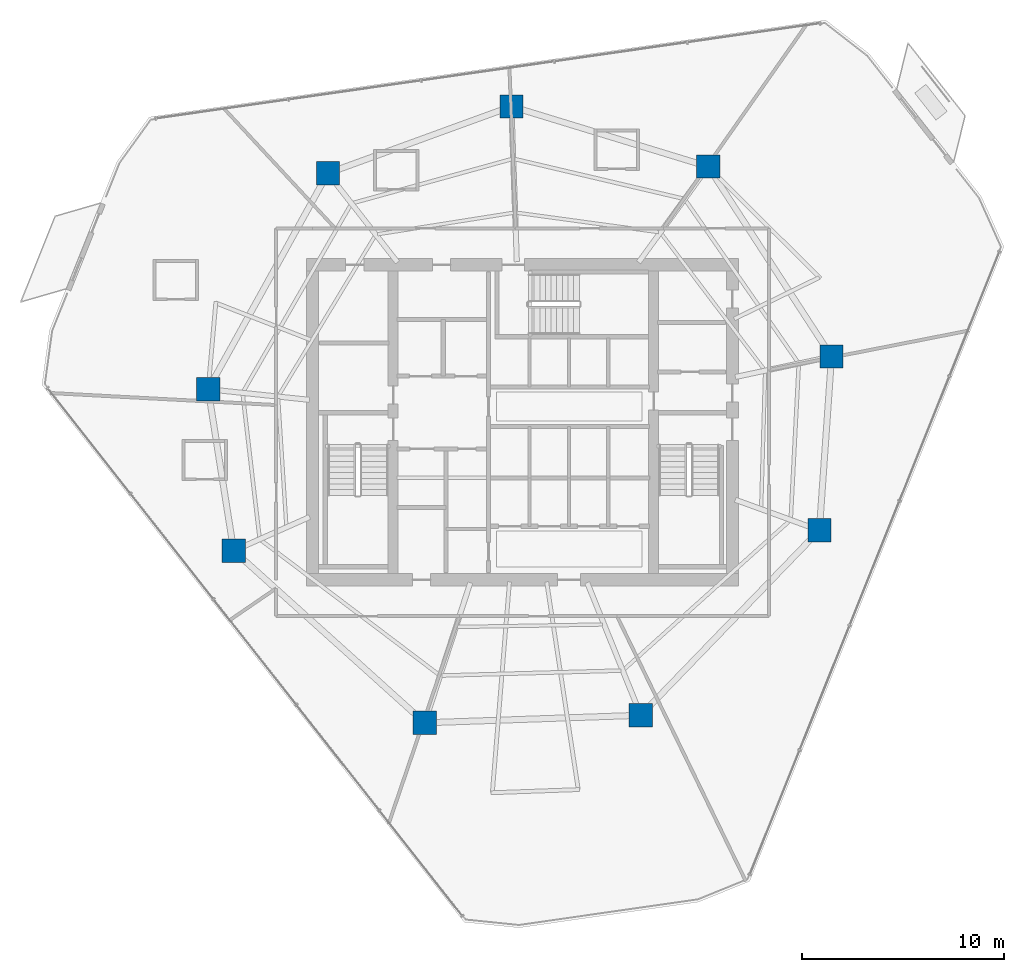
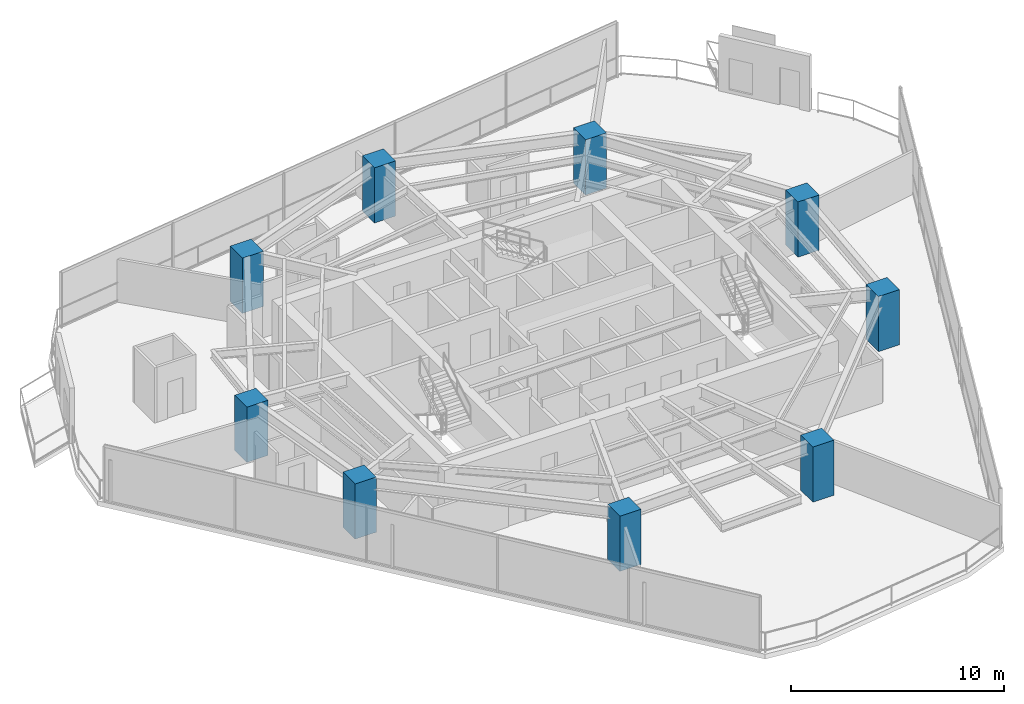
# One storey, part 1 of 29: 9 columns.
"""IFC4 building model written with IfcOpenShell, lengths in metres."""

from ifc_helpers import new_model, si_unit, direction, frame, origin, origin_2d, place, context, subcontext, project, spatial, rectangle, extrude, material, material_profile, profile_set, type_object, element, save


model = new_model("IFC4")

# Units and contexts
model_context = context("Model", 3, precision=1e-05, world=origin(), true_north=direction((0.0, 1.0)))
body_context = subcontext(model_context, "Body", "Model", "MODEL_VIEW")
ifc_project = project(units=[si_unit("LENGTHUNIT", "METRE"), si_unit("AREAUNIT", "SQUARE_METRE"), si_unit("VOLUMEUNIT", "CUBIC_METRE"), si_unit("PLANEANGLEUNIT", "RADIAN"), si_unit("MASSUNIT", "GRAM", prefix="KILO")], contexts=[model_context])

# Site, building, storey
site_placement = place(None, origin())
site = spatial("IfcSite", under=ifc_project, at=site_placement, CompositionType="ELEMENT")
building_placement = place(site_placement, origin())
building = spatial("IfcBuilding", under=site, at=building_placement, Name="Qarnah Convention Tower", CompositionType="ELEMENT")
storey_placement = place(building_placement, frame((0.0, 0.0, 97.050048828125)))
storey = spatial("IfcBuildingStorey", under=building, at=storey_placement, Name="L25", CompositionType="ELEMENT", Elevation=97.050048828125)

# Columns
ifc_material = material(Name="Concrete C60/75", Category="concrete")
ifc_material_profile = material_profile(ifc_material, rectangle(XDim=1.14990234375, YDim=1.14990234375, at=origin_2d()), Name="RC-COL-1150X1150")
ifc_profile_set = profile_set([ifc_material_profile], Name="Concrete C60/75")
column_type = type_object("IfcColumnType", Name="COL-Z2-1150", PredefinedType="COLUMN", material=ifc_profile_set)
for number, where, z_axis, x_axis, name in (
    (1, (52.508056640625, 29.654052734375, 0.0), (0.0, 0.0, 1.0), (1.0, 0.0, 0.0), "L25 plumb column PC-Z2-01"),
    (2, (46.39892578125, 39.06103515625, 0.0), (0.0, 0.0, 1.0), (1.0, 0.0, 0.0), "L25 plumb column PC-Z2-02"),
    (3, (36.654052734375, 42.0400390625, 0.0), (0.0, 0.0, 1.0), (1.0, 0.0, 0.0), "L25 plumb column PC-Z2-03"),
    (4, (27.56494140625, 38.73193359375, 0.0), (0.0, 0.0, 1.0), (1.0, 0.0, 0.0), "L25 plumb column PC-Z2-04"),
    (5, (21.635986328125, 28.035888671875, 0.0), (0.0, 0.0, 1.0), (1.0, 0.0, 0.0), "L25 plumb column PC-Z2-05"),
    (6, (22.903076171875, 20.034912109375, 0.0), (0.0, 0.0, 1.0), (1.0, 0.0, 0.0), "L25 plumb column PC-Z2-06"),
    (7, (32.364013671875, 11.51611328125, 0.0), (0.0, 0.0, 1.0), (1.0, 0.0, 0.0), "L25 plumb column PC-Z2-07"),
    (8, (43.06298828125, 11.889892578125, 0.0), (0.0, 0.0, 1.0), (1.0, 0.0, 0.0), "L25 plumb column PC-Z2-08"),
    (9, (51.906005859375, 21.047119140625, 0.0), (0.0, 0.0, 1.0), (1.0, 0.0, 0.0), "L25 plumb column PC-Z2-09"),
):
    element("IfcColumn", number, at=place(storey_placement, frame(where, z_axis=z_axis, x_axis=x_axis)), inside=storey, type_object=column_type, Name=name, PredefinedType="COLUMN", context=body_context, shape_type="SweptSolid", body=[
        extrude(rectangle(XDim=1.14990234375, YDim=1.14990234375, at=origin_2d()), origin(), (0.0, 0.0, 1.0), 3.169921875),
    ])

save(model, "model.ifc")
